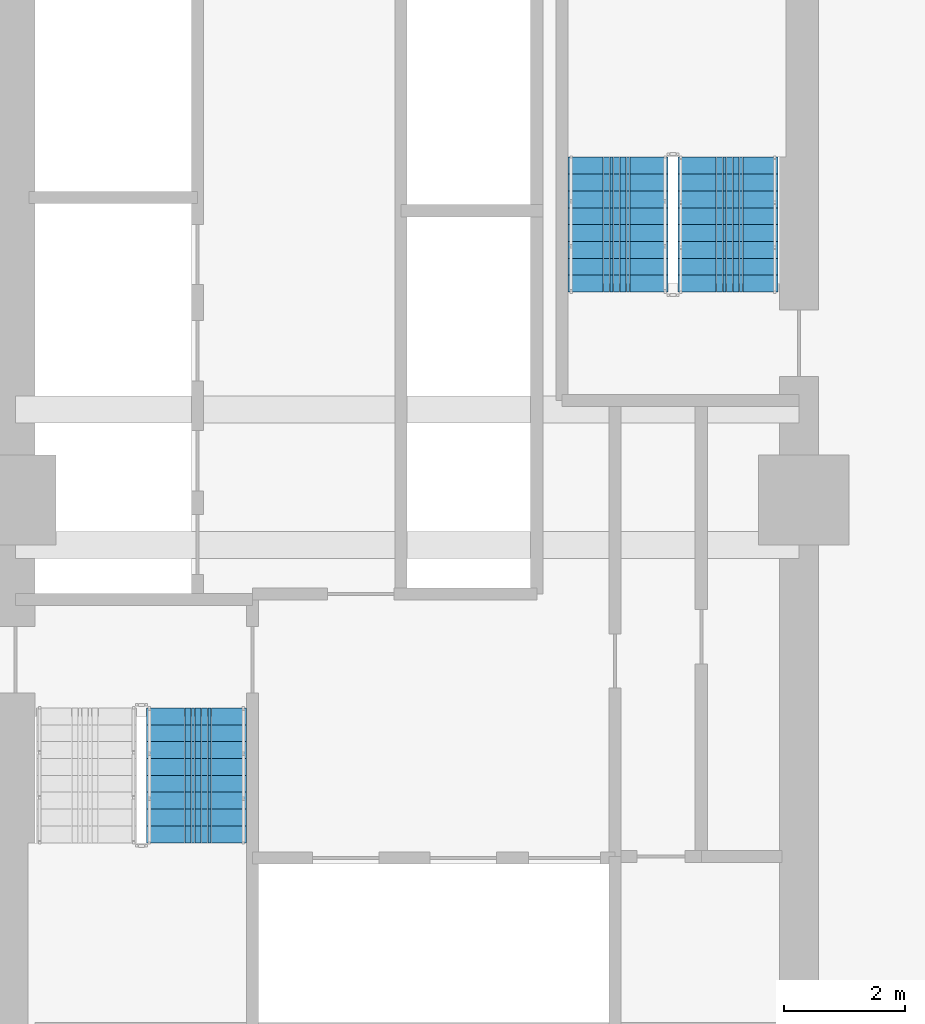
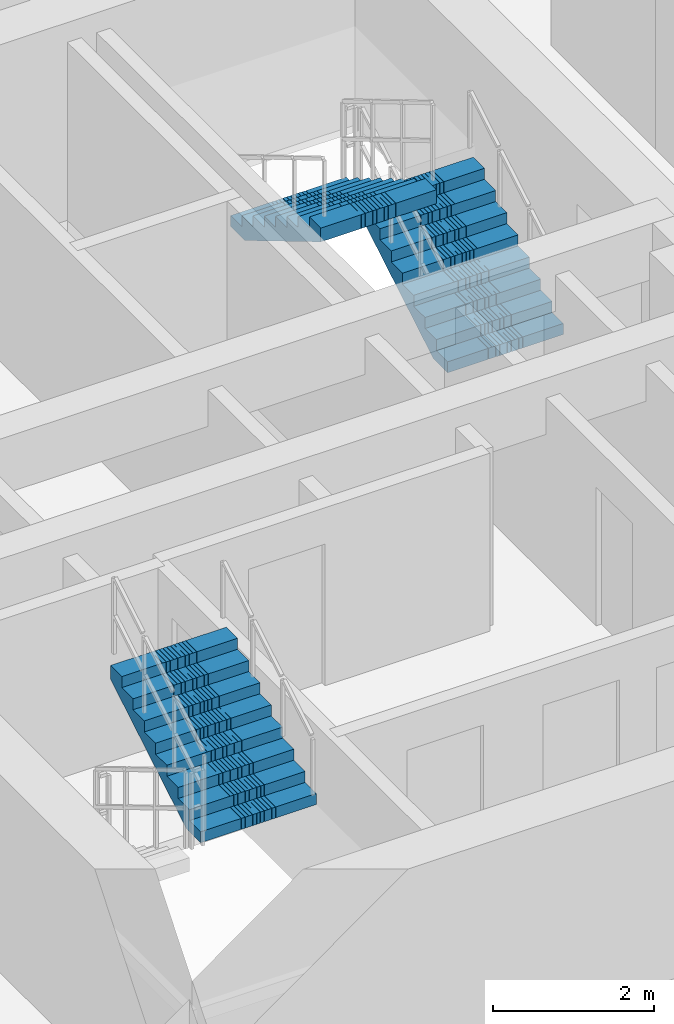
# One storey, part 9 of 15: 3 stair flights, 2 elements without a shape of their own.
"""IFC4 building model written with IfcOpenShell, lengths in metres."""

from ifc_helpers import new_model, si_unit, direction, frame, origin, place, context, subcontext, project, spatial, polyline, outline, extrude, material, type_object, element, aggregate, save


model = new_model("IFC4")

# Units and contexts
model_context = context("Model", 3, precision=1e-05, world=origin(), true_north=direction((0.0, 1.0)))
body_context = subcontext(model_context, "Body", "Model", "MODEL_VIEW")
ifc_project = project(units=[si_unit("LENGTHUNIT", "METRE"), si_unit("AREAUNIT", "SQUARE_METRE"), si_unit("VOLUMEUNIT", "CUBIC_METRE"), si_unit("PLANEANGLEUNIT", "RADIAN"), si_unit("MASSUNIT", "GRAM", prefix="KILO")], contexts=[model_context])

# Site, building, storey
site_placement = place(None, origin())
site = spatial("IfcSite", under=ifc_project, at=site_placement, CompositionType="ELEMENT")
building_placement = place(site_placement, origin())
building = spatial("IfcBuilding", under=site, at=building_placement, Name="Saelheon Loggia Tower", CompositionType="ELEMENT")
storey_placement = place(building_placement, frame((0.0, 0.0, 67.39990234375)))
storey = spatial("IfcBuildingStorey", under=building, at=storey_placement, Name="L21", CompositionType="ELEMENT", Elevation=67.39990234375)

# Stair, stair flight
ifc_material = material(Name="Concrete C40/50", Category="concrete")
stair_type = type_object("IfcStairType", Name="Stair_Escape_Core", PredefinedType="HALF_TURN_STAIR", material=ifc_material)
stair_1_placement = place(storey_placement, origin())
stair_1 = element("IfcStair", 1, at=stair_1_placement, inside=storey, type_object=stair_type, Name="L21 Special Escape Stair ST1", PredefinedType="HALF_TURN_STAIR")
stair_flight_type = type_object("IfcStairFlightType", Name="StairFlight_Tower_1660", PredefinedType="STRAIGHT", material=ifc_material)
stair_flight_1_placement = place(storey_placement, frame((34.5, 21.31005859375, 1.5), z_axis=(0.0, 0.0, 1.0), x_axis=(0.0, 1.0, 0.0)))
stair_flight_1 = element("IfcStairFlight", 2, at=stair_flight_1_placement, type_object=stair_flight_type, Name="ST1 flight 2", NumberOfRisers=9, NumberOfTreads=8, PredefinedType="STRAIGHT", RiserHeight=0.166666667, TreadLength=0.28, context=body_context, shape_type="SweptSolid", body=[
    extrude(outline(polyline([(0.0, 0.0), (0.0, 0.166748046875), (0.280029296875, 0.166748046875), (0.280029296875, 0.333251953125), (0.56005859375, 0.333251953125), (0.56005859375, 0.5), (0.840087890625, 0.5), (0.840087890625, 0.666748046875), (1.1201171875, 0.666748046875), (1.1201171875, 0.833251953125), (1.39990234375, 0.833251953125), (1.39990234375, 1.0), (1.679931640625, 1.0), (1.679931640625, 1.166748046875), (1.9599609375, 1.166748046875), (1.9599609375, 1.333251953125), (2.239990234375, 1.333251953125), (2.239990234375, 1.5), (2.239990234375, 1.1240234375), (0.351806640625, 0.0), (0.0, 0.0)])), frame((0.0, -0.2490234375, 0.0), z_axis=(0.0, -1.0, 0.0), x_axis=(1.0, 0.0, 0.0)), (0.0, 0.0, 1.0), 0.5810546875),
    extrude(outline(polyline([(0.0, 0.0), (0.0, 0.166748046875), (0.280029296875, 0.166748046875), (0.280029296875, 0.333251953125), (0.56005859375, 0.333251953125), (0.56005859375, 0.5), (0.840087890625, 0.5), (0.840087890625, 0.666748046875), (1.1201171875, 0.666748046875), (1.1201171875, 0.833251953125), (1.39990234375, 0.833251953125), (1.39990234375, 1.0), (1.679931640625, 1.0), (1.679931640625, 1.166748046875), (1.9599609375, 1.166748046875), (1.9599609375, 1.333251953125), (2.239990234375, 1.333251953125), (2.239990234375, 1.5), (2.239990234375, 1.1240234375), (0.351806640625, 0.0), (0.0, 0.0)])), frame((0.0, -0.194091796875, 0.0), z_axis=(0.0, -1.0, 0.0), x_axis=(1.0, 0.0, 0.0)), (0.0, 0.0, 1.0), 0.0498046875),
    extrude(outline(polyline([(0.0, 0.0), (0.0, 0.166748046875), (0.280029296875, 0.166748046875), (0.280029296875, 0.333251953125), (0.56005859375, 0.333251953125), (0.56005859375, 0.5), (0.840087890625, 0.5), (0.840087890625, 0.666748046875), (1.1201171875, 0.666748046875), (1.1201171875, 0.833251953125), (1.39990234375, 0.833251953125), (1.39990234375, 1.0), (1.679931640625, 1.0), (1.679931640625, 1.166748046875), (1.9599609375, 1.166748046875), (1.9599609375, 1.333251953125), (2.239990234375, 1.333251953125), (2.239990234375, 1.5), (2.239990234375, 1.1240234375), (0.351806640625, 0.0), (0.0, 0.0)])), frame((0.0, -0.139404296875, 0.0), z_axis=(0.0, -1.0, 0.0), x_axis=(1.0, 0.0, 0.0)), (0.0, 0.0, 1.0), 0.0498046875),
    extrude(outline(polyline([(0.0, 0.0), (0.0, 0.166748046875), (0.280029296875, 0.166748046875), (0.280029296875, 0.333251953125), (0.56005859375, 0.333251953125), (0.56005859375, 0.5), (0.840087890625, 0.5), (0.840087890625, 0.666748046875), (1.1201171875, 0.666748046875), (1.1201171875, 0.833251953125), (1.39990234375, 0.833251953125), (1.39990234375, 1.0), (1.679931640625, 1.0), (1.679931640625, 1.166748046875), (1.9599609375, 1.166748046875), (1.9599609375, 1.333251953125), (2.239990234375, 1.333251953125), (2.239990234375, 1.5), (2.239990234375, 1.1240234375), (0.351806640625, 0.0), (0.0, 0.0)])), frame((0.0, -0.084716796875, 0.0), z_axis=(0.0, -1.0, 0.0), x_axis=(1.0, 0.0, 0.0)), (0.0, 0.0, 1.0), 0.0498046875),
    extrude(outline(polyline([(0.0, 0.0), (0.0, 0.166748046875), (0.280029296875, 0.166748046875), (0.280029296875, 0.333251953125), (0.56005859375, 0.333251953125), (0.56005859375, 0.5), (0.840087890625, 0.5), (0.840087890625, 0.666748046875), (1.1201171875, 0.666748046875), (1.1201171875, 0.833251953125), (1.39990234375, 0.833251953125), (1.39990234375, 1.0), (1.679931640625, 1.0), (1.679931640625, 1.166748046875), (1.9599609375, 1.166748046875), (1.9599609375, 1.333251953125), (2.239990234375, 1.333251953125), (2.239990234375, 1.5), (2.239990234375, 1.1240234375), (0.351806640625, 0.0), (0.0, 0.0)])), frame((0.0, -0.02978515625, 0.0), z_axis=(0.0, -1.0, 0.0), x_axis=(1.0, 0.0, 0.0)), (0.0, 0.0, 1.0), 0.0498046875),
    extrude(outline(polyline([(0.0, 0.0), (0.0, 0.166748046875), (0.280029296875, 0.166748046875), (0.280029296875, 0.333251953125), (0.56005859375, 0.333251953125), (0.56005859375, 0.5), (0.840087890625, 0.5), (0.840087890625, 0.666748046875), (1.1201171875, 0.666748046875), (1.1201171875, 0.833251953125), (1.39990234375, 0.833251953125), (1.39990234375, 1.0), (1.679931640625, 1.0), (1.679931640625, 1.166748046875), (1.9599609375, 1.166748046875), (1.9599609375, 1.333251953125), (2.239990234375, 1.333251953125), (2.239990234375, 1.5), (2.239990234375, 1.1240234375), (0.351806640625, 0.0), (0.0, 0.0)])), frame((0.0, 0.02490234375, 0.0), z_axis=(0.0, -1.0, 0.0), x_axis=(1.0, 0.0, 0.0)), (0.0, 0.0, 1.0), 0.0498046875),
    extrude(outline(polyline([(0.0, 0.0), (0.0, 0.166748046875), (0.280029296875, 0.166748046875), (0.280029296875, 0.333251953125), (0.56005859375, 0.333251953125), (0.56005859375, 0.5), (0.840087890625, 0.5), (0.840087890625, 0.666748046875), (1.1201171875, 0.666748046875), (1.1201171875, 0.833251953125), (1.39990234375, 0.833251953125), (1.39990234375, 1.0), (1.679931640625, 1.0), (1.679931640625, 1.166748046875), (1.9599609375, 1.166748046875), (1.9599609375, 1.333251953125), (2.239990234375, 1.333251953125), (2.239990234375, 1.5), (2.239990234375, 1.1240234375), (0.351806640625, 0.0), (0.0, 0.0)])), frame((0.0, 0.07958984375, 0.0), z_axis=(0.0, -1.0, 0.0), x_axis=(1.0, 0.0, 0.0)), (0.0, 0.0, 1.0), 0.0498046875),
    extrude(outline(polyline([(0.0, 0.0), (0.0, 0.166748046875), (0.280029296875, 0.166748046875), (0.280029296875, 0.333251953125), (0.56005859375, 0.333251953125), (0.56005859375, 0.5), (0.840087890625, 0.5), (0.840087890625, 0.666748046875), (1.1201171875, 0.666748046875), (1.1201171875, 0.833251953125), (1.39990234375, 0.833251953125), (1.39990234375, 1.0), (1.679931640625, 1.0), (1.679931640625, 1.166748046875), (1.9599609375, 1.166748046875), (1.9599609375, 1.333251953125), (2.239990234375, 1.333251953125), (2.239990234375, 1.5), (2.239990234375, 1.1240234375), (0.351806640625, 0.0), (0.0, 0.0)])), frame((0.0, 0.134521484375, 0.0), z_axis=(0.0, -1.0, 0.0), x_axis=(1.0, 0.0, 0.0)), (0.0, 0.0, 1.0), 0.0498046875),
    extrude(outline(polyline([(0.0, 0.0), (0.0, 0.166748046875), (0.280029296875, 0.166748046875), (0.280029296875, 0.333251953125), (0.56005859375, 0.333251953125), (0.56005859375, 0.5), (0.840087890625, 0.5), (0.840087890625, 0.666748046875), (1.1201171875, 0.666748046875), (1.1201171875, 0.833251953125), (1.39990234375, 0.833251953125), (1.39990234375, 1.0), (1.679931640625, 1.0), (1.679931640625, 1.166748046875), (1.9599609375, 1.166748046875), (1.9599609375, 1.333251953125), (2.239990234375, 1.333251953125), (2.239990234375, 1.5), (2.239990234375, 1.1240234375), (0.351806640625, 0.0), (0.0, 0.0)])), frame((0.0, 0.189208984375, 0.0), z_axis=(0.0, -1.0, 0.0), x_axis=(1.0, 0.0, 0.0)), (0.0, 0.0, 1.0), 0.0498046875),
    extrude(outline(polyline([(0.0, 0.0), (0.0, 0.166748046875), (0.280029296875, 0.166748046875), (0.280029296875, 0.333251953125), (0.56005859375, 0.333251953125), (0.56005859375, 0.5), (0.840087890625, 0.5), (0.840087890625, 0.666748046875), (1.1201171875, 0.666748046875), (1.1201171875, 0.833251953125), (1.39990234375, 0.833251953125), (1.39990234375, 1.0), (1.679931640625, 1.0), (1.679931640625, 1.166748046875), (1.9599609375, 1.166748046875), (1.9599609375, 1.333251953125), (2.239990234375, 1.333251953125), (2.239990234375, 1.5), (2.239990234375, 1.1240234375), (0.351806640625, 0.0), (0.0, 0.0)])), frame((0.0, 0.243896484375, 0.0), z_axis=(0.0, -1.0, 0.0), x_axis=(1.0, 0.0, 0.0)), (0.0, 0.0, 1.0), 0.0498046875),
    extrude(outline(polyline([(0.0, 0.0), (0.0, 0.166748046875), (0.280029296875, 0.166748046875), (0.280029296875, 0.333251953125), (0.56005859375, 0.333251953125), (0.56005859375, 0.5), (0.840087890625, 0.5), (0.840087890625, 0.666748046875), (1.1201171875, 0.666748046875), (1.1201171875, 0.833251953125), (1.39990234375, 0.833251953125), (1.39990234375, 1.0), (1.679931640625, 1.0), (1.679931640625, 1.166748046875), (1.9599609375, 1.166748046875), (1.9599609375, 1.333251953125), (2.239990234375, 1.333251953125), (2.239990234375, 1.5), (2.239990234375, 1.1240234375), (0.351806640625, 0.0), (0.0, 0.0)])), frame((0.0, 0.830078125, 0.0), z_axis=(0.0, -1.0, 0.0), x_axis=(1.0, 0.0, 0.0)), (0.0, 0.0, 1.0), 0.5810546875),
])
aggregate(stair_1, [stair_flight_1])

# Stair, stair flights
stair_2_placement = place(storey_placement, origin())
stair_2 = element("IfcStair", 3, at=stair_2_placement, inside=storey, type_object=stair_type, Name="L21 Special Escape Stair ST2", PredefinedType="HALF_TURN_STAIR")
stair_flight_2_placement = place(storey_placement, frame((43.320068359375, 30.449951171875, 0.0), z_axis=(0.0, 0.0, 1.0), x_axis=(0.0, 1.0, 0.0)))
stair_flight_2 = element("IfcStairFlight", 4, at=stair_flight_2_placement, type_object=stair_flight_type, Name="ST2 flight 1", NumberOfRisers=9, NumberOfTreads=8, PredefinedType="STRAIGHT", RiserHeight=0.166666667, TreadLength=0.28, context=body_context, shape_type="SweptSolid", body=[
    extrude(outline(polyline([(0.0, 0.0), (0.0, 0.166748046875), (0.280029296875, 0.166748046875), (0.280029296875, 0.333251953125), (0.56005859375, 0.333251953125), (0.56005859375, 0.5), (0.840087890625, 0.5), (0.840087890625, 0.666748046875), (1.1201171875, 0.666748046875), (1.1201171875, 0.833251953125), (1.39990234375, 0.833251953125), (1.39990234375, 1.0), (1.679931640625, 1.0), (1.679931640625, 1.166748046875), (1.9599609375, 1.166748046875), (1.9599609375, 1.333251953125), (2.239990234375, 1.333251953125), (2.239990234375, 1.5), (2.239990234375, 1.1240234375), (0.351806640625, 0.0), (0.0, 0.0)])), frame((0.0, -0.2490234375, 0.0), z_axis=(0.0, -1.0, 0.0), x_axis=(1.0, 0.0, 0.0)), (0.0, 0.0, 1.0), 0.5810546875),
    extrude(outline(polyline([(0.0, 0.0), (0.0, 0.166748046875), (0.280029296875, 0.166748046875), (0.280029296875, 0.333251953125), (0.56005859375, 0.333251953125), (0.56005859375, 0.5), (0.840087890625, 0.5), (0.840087890625, 0.666748046875), (1.1201171875, 0.666748046875), (1.1201171875, 0.833251953125), (1.39990234375, 0.833251953125), (1.39990234375, 1.0), (1.679931640625, 1.0), (1.679931640625, 1.166748046875), (1.9599609375, 1.166748046875), (1.9599609375, 1.333251953125), (2.239990234375, 1.333251953125), (2.239990234375, 1.5), (2.239990234375, 1.1240234375), (0.351806640625, 0.0), (0.0, 0.0)])), frame((0.0, -0.194091796875, 0.0), z_axis=(0.0, -1.0, 0.0), x_axis=(1.0, 0.0, 0.0)), (0.0, 0.0, 1.0), 0.0498046875),
    extrude(outline(polyline([(0.0, 0.0), (0.0, 0.166748046875), (0.280029296875, 0.166748046875), (0.280029296875, 0.333251953125), (0.56005859375, 0.333251953125), (0.56005859375, 0.5), (0.840087890625, 0.5), (0.840087890625, 0.666748046875), (1.1201171875, 0.666748046875), (1.1201171875, 0.833251953125), (1.39990234375, 0.833251953125), (1.39990234375, 1.0), (1.679931640625, 1.0), (1.679931640625, 1.166748046875), (1.9599609375, 1.166748046875), (1.9599609375, 1.333251953125), (2.239990234375, 1.333251953125), (2.239990234375, 1.5), (2.239990234375, 1.1240234375), (0.351806640625, 0.0), (0.0, 0.0)])), frame((0.0, -0.139404296875, 0.0), z_axis=(0.0, -1.0, 0.0), x_axis=(1.0, 0.0, 0.0)), (0.0, 0.0, 1.0), 0.0498046875),
    extrude(outline(polyline([(0.0, 0.0), (0.0, 0.166748046875), (0.280029296875, 0.166748046875), (0.280029296875, 0.333251953125), (0.56005859375, 0.333251953125), (0.56005859375, 0.5), (0.840087890625, 0.5), (0.840087890625, 0.666748046875), (1.1201171875, 0.666748046875), (1.1201171875, 0.833251953125), (1.39990234375, 0.833251953125), (1.39990234375, 1.0), (1.679931640625, 1.0), (1.679931640625, 1.166748046875), (1.9599609375, 1.166748046875), (1.9599609375, 1.333251953125), (2.239990234375, 1.333251953125), (2.239990234375, 1.5), (2.239990234375, 1.1240234375), (0.351806640625, 0.0), (0.0, 0.0)])), frame((0.0, -0.084716796875, 0.0), z_axis=(0.0, -1.0, 0.0), x_axis=(1.0, 0.0, 0.0)), (0.0, 0.0, 1.0), 0.0498046875),
    extrude(outline(polyline([(0.0, 0.0), (0.0, 0.166748046875), (0.280029296875, 0.166748046875), (0.280029296875, 0.333251953125), (0.56005859375, 0.333251953125), (0.56005859375, 0.5), (0.840087890625, 0.5), (0.840087890625, 0.666748046875), (1.1201171875, 0.666748046875), (1.1201171875, 0.833251953125), (1.39990234375, 0.833251953125), (1.39990234375, 1.0), (1.679931640625, 1.0), (1.679931640625, 1.166748046875), (1.9599609375, 1.166748046875), (1.9599609375, 1.333251953125), (2.239990234375, 1.333251953125), (2.239990234375, 1.5), (2.239990234375, 1.1240234375), (0.351806640625, 0.0), (0.0, 0.0)])), frame((0.0, -0.02978515625, 0.0), z_axis=(0.0, -1.0, 0.0), x_axis=(1.0, 0.0, 0.0)), (0.0, 0.0, 1.0), 0.0498046875),
    extrude(outline(polyline([(0.0, 0.0), (0.0, 0.166748046875), (0.280029296875, 0.166748046875), (0.280029296875, 0.333251953125), (0.56005859375, 0.333251953125), (0.56005859375, 0.5), (0.840087890625, 0.5), (0.840087890625, 0.666748046875), (1.1201171875, 0.666748046875), (1.1201171875, 0.833251953125), (1.39990234375, 0.833251953125), (1.39990234375, 1.0), (1.679931640625, 1.0), (1.679931640625, 1.166748046875), (1.9599609375, 1.166748046875), (1.9599609375, 1.333251953125), (2.239990234375, 1.333251953125), (2.239990234375, 1.5), (2.239990234375, 1.1240234375), (0.351806640625, 0.0), (0.0, 0.0)])), frame((0.0, 0.02490234375, 0.0), z_axis=(0.0, -1.0, 0.0), x_axis=(1.0, 0.0, 0.0)), (0.0, 0.0, 1.0), 0.0498046875),
    extrude(outline(polyline([(0.0, 0.0), (0.0, 0.166748046875), (0.280029296875, 0.166748046875), (0.280029296875, 0.333251953125), (0.56005859375, 0.333251953125), (0.56005859375, 0.5), (0.840087890625, 0.5), (0.840087890625, 0.666748046875), (1.1201171875, 0.666748046875), (1.1201171875, 0.833251953125), (1.39990234375, 0.833251953125), (1.39990234375, 1.0), (1.679931640625, 1.0), (1.679931640625, 1.166748046875), (1.9599609375, 1.166748046875), (1.9599609375, 1.333251953125), (2.239990234375, 1.333251953125), (2.239990234375, 1.5), (2.239990234375, 1.1240234375), (0.351806640625, 0.0), (0.0, 0.0)])), frame((0.0, 0.07958984375, 0.0), z_axis=(0.0, -1.0, 0.0), x_axis=(1.0, 0.0, 0.0)), (0.0, 0.0, 1.0), 0.0498046875),
    extrude(outline(polyline([(0.0, 0.0), (0.0, 0.166748046875), (0.280029296875, 0.166748046875), (0.280029296875, 0.333251953125), (0.56005859375, 0.333251953125), (0.56005859375, 0.5), (0.840087890625, 0.5), (0.840087890625, 0.666748046875), (1.1201171875, 0.666748046875), (1.1201171875, 0.833251953125), (1.39990234375, 0.833251953125), (1.39990234375, 1.0), (1.679931640625, 1.0), (1.679931640625, 1.166748046875), (1.9599609375, 1.166748046875), (1.9599609375, 1.333251953125), (2.239990234375, 1.333251953125), (2.239990234375, 1.5), (2.239990234375, 1.1240234375), (0.351806640625, 0.0), (0.0, 0.0)])), frame((0.0, 0.134521484375, 0.0), z_axis=(0.0, -1.0, 0.0), x_axis=(1.0, 0.0, 0.0)), (0.0, 0.0, 1.0), 0.0498046875),
    extrude(outline(polyline([(0.0, 0.0), (0.0, 0.166748046875), (0.280029296875, 0.166748046875), (0.280029296875, 0.333251953125), (0.56005859375, 0.333251953125), (0.56005859375, 0.5), (0.840087890625, 0.5), (0.840087890625, 0.666748046875), (1.1201171875, 0.666748046875), (1.1201171875, 0.833251953125), (1.39990234375, 0.833251953125), (1.39990234375, 1.0), (1.679931640625, 1.0), (1.679931640625, 1.166748046875), (1.9599609375, 1.166748046875), (1.9599609375, 1.333251953125), (2.239990234375, 1.333251953125), (2.239990234375, 1.5), (2.239990234375, 1.1240234375), (0.351806640625, 0.0), (0.0, 0.0)])), frame((0.0, 0.189208984375, 0.0), z_axis=(0.0, -1.0, 0.0), x_axis=(1.0, 0.0, 0.0)), (0.0, 0.0, 1.0), 0.0498046875),
    extrude(outline(polyline([(0.0, 0.0), (0.0, 0.166748046875), (0.280029296875, 0.166748046875), (0.280029296875, 0.333251953125), (0.56005859375, 0.333251953125), (0.56005859375, 0.5), (0.840087890625, 0.5), (0.840087890625, 0.666748046875), (1.1201171875, 0.666748046875), (1.1201171875, 0.833251953125), (1.39990234375, 0.833251953125), (1.39990234375, 1.0), (1.679931640625, 1.0), (1.679931640625, 1.166748046875), (1.9599609375, 1.166748046875), (1.9599609375, 1.333251953125), (2.239990234375, 1.333251953125), (2.239990234375, 1.5), (2.239990234375, 1.1240234375), (0.351806640625, 0.0), (0.0, 0.0)])), frame((0.0, 0.243896484375, 0.0), z_axis=(0.0, -1.0, 0.0), x_axis=(1.0, 0.0, 0.0)), (0.0, 0.0, 1.0), 0.0498046875),
    extrude(outline(polyline([(0.0, 0.0), (0.0, 0.166748046875), (0.280029296875, 0.166748046875), (0.280029296875, 0.333251953125), (0.56005859375, 0.333251953125), (0.56005859375, 0.5), (0.840087890625, 0.5), (0.840087890625, 0.666748046875), (1.1201171875, 0.666748046875), (1.1201171875, 0.833251953125), (1.39990234375, 0.833251953125), (1.39990234375, 1.0), (1.679931640625, 1.0), (1.679931640625, 1.166748046875), (1.9599609375, 1.166748046875), (1.9599609375, 1.333251953125), (2.239990234375, 1.333251953125), (2.239990234375, 1.5), (2.239990234375, 1.1240234375), (0.351806640625, 0.0), (0.0, 0.0)])), frame((0.0, 0.830078125, 0.0), z_axis=(0.0, -1.0, 0.0), x_axis=(1.0, 0.0, 0.0)), (0.0, 0.0, 1.0), 0.5810546875),
])
stair_flight_3_placement = place(storey_placement, frame((41.5, 32.68994140625, 1.5), z_axis=(0.0, 0.0, 1.0), x_axis=(0.0, -1.0, 0.0)))
stair_flight_3 = element("IfcStairFlight", 5, at=stair_flight_3_placement, type_object=stair_flight_type, Name="ST2 flight 2", NumberOfRisers=9, NumberOfTreads=8, PredefinedType="STRAIGHT", RiserHeight=0.166666667, TreadLength=0.28, context=body_context, shape_type="SweptSolid", body=[
    extrude(outline(polyline([(0.0, 0.0), (0.0, 0.166748046875), (0.280029296875, 0.166748046875), (0.280029296875, 0.333251953125), (0.56005859375, 0.333251953125), (0.56005859375, 0.5), (0.840087890625, 0.5), (0.840087890625, 0.666748046875), (1.1201171875, 0.666748046875), (1.1201171875, 0.833251953125), (1.39990234375, 0.833251953125), (1.39990234375, 1.0), (1.679931640625, 1.0), (1.679931640625, 1.166748046875), (1.9599609375, 1.166748046875), (1.9599609375, 1.333251953125), (2.239990234375, 1.333251953125), (2.239990234375, 1.5), (2.239990234375, 1.1240234375), (0.351806640625, 0.0), (0.0, 0.0)])), frame((0.0, -0.2490234375, 0.0), z_axis=(0.0, -1.0, 0.0), x_axis=(1.0, 0.0, 0.0)), (0.0, 0.0, 1.0), 0.5810546875),
    extrude(outline(polyline([(0.0, 0.0), (0.0, 0.166748046875), (0.280029296875, 0.166748046875), (0.280029296875, 0.333251953125), (0.56005859375, 0.333251953125), (0.56005859375, 0.5), (0.840087890625, 0.5), (0.840087890625, 0.666748046875), (1.1201171875, 0.666748046875), (1.1201171875, 0.833251953125), (1.39990234375, 0.833251953125), (1.39990234375, 1.0), (1.679931640625, 1.0), (1.679931640625, 1.166748046875), (1.9599609375, 1.166748046875), (1.9599609375, 1.333251953125), (2.239990234375, 1.333251953125), (2.239990234375, 1.5), (2.239990234375, 1.1240234375), (0.351806640625, 0.0), (0.0, 0.0)])), frame((0.0, -0.194091796875, 0.0), z_axis=(0.0, -1.0, 0.0), x_axis=(1.0, 0.0, 0.0)), (0.0, 0.0, 1.0), 0.0498046875),
    extrude(outline(polyline([(0.0, 0.0), (0.0, 0.166748046875), (0.280029296875, 0.166748046875), (0.280029296875, 0.333251953125), (0.56005859375, 0.333251953125), (0.56005859375, 0.5), (0.840087890625, 0.5), (0.840087890625, 0.666748046875), (1.1201171875, 0.666748046875), (1.1201171875, 0.833251953125), (1.39990234375, 0.833251953125), (1.39990234375, 1.0), (1.679931640625, 1.0), (1.679931640625, 1.166748046875), (1.9599609375, 1.166748046875), (1.9599609375, 1.333251953125), (2.239990234375, 1.333251953125), (2.239990234375, 1.5), (2.239990234375, 1.1240234375), (0.351806640625, 0.0), (0.0, 0.0)])), frame((0.0, -0.139404296875, 0.0), z_axis=(0.0, -1.0, 0.0), x_axis=(1.0, 0.0, 0.0)), (0.0, 0.0, 1.0), 0.0498046875),
    extrude(outline(polyline([(0.0, 0.0), (0.0, 0.166748046875), (0.280029296875, 0.166748046875), (0.280029296875, 0.333251953125), (0.56005859375, 0.333251953125), (0.56005859375, 0.5), (0.840087890625, 0.5), (0.840087890625, 0.666748046875), (1.1201171875, 0.666748046875), (1.1201171875, 0.833251953125), (1.39990234375, 0.833251953125), (1.39990234375, 1.0), (1.679931640625, 1.0), (1.679931640625, 1.166748046875), (1.9599609375, 1.166748046875), (1.9599609375, 1.333251953125), (2.239990234375, 1.333251953125), (2.239990234375, 1.5), (2.239990234375, 1.1240234375), (0.351806640625, 0.0), (0.0, 0.0)])), frame((0.0, -0.084716796875, 0.0), z_axis=(0.0, -1.0, 0.0), x_axis=(1.0, 0.0, 0.0)), (0.0, 0.0, 1.0), 0.0498046875),
    extrude(outline(polyline([(0.0, 0.0), (0.0, 0.166748046875), (0.280029296875, 0.166748046875), (0.280029296875, 0.333251953125), (0.56005859375, 0.333251953125), (0.56005859375, 0.5), (0.840087890625, 0.5), (0.840087890625, 0.666748046875), (1.1201171875, 0.666748046875), (1.1201171875, 0.833251953125), (1.39990234375, 0.833251953125), (1.39990234375, 1.0), (1.679931640625, 1.0), (1.679931640625, 1.166748046875), (1.9599609375, 1.166748046875), (1.9599609375, 1.333251953125), (2.239990234375, 1.333251953125), (2.239990234375, 1.5), (2.239990234375, 1.1240234375), (0.351806640625, 0.0), (0.0, 0.0)])), frame((0.0, -0.02978515625, 0.0), z_axis=(0.0, -1.0, 0.0), x_axis=(1.0, 0.0, 0.0)), (0.0, 0.0, 1.0), 0.0498046875),
    extrude(outline(polyline([(0.0, 0.0), (0.0, 0.166748046875), (0.280029296875, 0.166748046875), (0.280029296875, 0.333251953125), (0.56005859375, 0.333251953125), (0.56005859375, 0.5), (0.840087890625, 0.5), (0.840087890625, 0.666748046875), (1.1201171875, 0.666748046875), (1.1201171875, 0.833251953125), (1.39990234375, 0.833251953125), (1.39990234375, 1.0), (1.679931640625, 1.0), (1.679931640625, 1.166748046875), (1.9599609375, 1.166748046875), (1.9599609375, 1.333251953125), (2.239990234375, 1.333251953125), (2.239990234375, 1.5), (2.239990234375, 1.1240234375), (0.351806640625, 0.0), (0.0, 0.0)])), frame((0.0, 0.02490234375, 0.0), z_axis=(0.0, -1.0, 0.0), x_axis=(1.0, 0.0, 0.0)), (0.0, 0.0, 1.0), 0.0498046875),
    extrude(outline(polyline([(0.0, 0.0), (0.0, 0.166748046875), (0.280029296875, 0.166748046875), (0.280029296875, 0.333251953125), (0.56005859375, 0.333251953125), (0.56005859375, 0.5), (0.840087890625, 0.5), (0.840087890625, 0.666748046875), (1.1201171875, 0.666748046875), (1.1201171875, 0.833251953125), (1.39990234375, 0.833251953125), (1.39990234375, 1.0), (1.679931640625, 1.0), (1.679931640625, 1.166748046875), (1.9599609375, 1.166748046875), (1.9599609375, 1.333251953125), (2.239990234375, 1.333251953125), (2.239990234375, 1.5), (2.239990234375, 1.1240234375), (0.351806640625, 0.0), (0.0, 0.0)])), frame((0.0, 0.07958984375, 0.0), z_axis=(0.0, -1.0, 0.0), x_axis=(1.0, 0.0, 0.0)), (0.0, 0.0, 1.0), 0.0498046875),
    extrude(outline(polyline([(0.0, 0.0), (0.0, 0.166748046875), (0.280029296875, 0.166748046875), (0.280029296875, 0.333251953125), (0.56005859375, 0.333251953125), (0.56005859375, 0.5), (0.840087890625, 0.5), (0.840087890625, 0.666748046875), (1.1201171875, 0.666748046875), (1.1201171875, 0.833251953125), (1.39990234375, 0.833251953125), (1.39990234375, 1.0), (1.679931640625, 1.0), (1.679931640625, 1.166748046875), (1.9599609375, 1.166748046875), (1.9599609375, 1.333251953125), (2.239990234375, 1.333251953125), (2.239990234375, 1.5), (2.239990234375, 1.1240234375), (0.351806640625, 0.0), (0.0, 0.0)])), frame((0.0, 0.134521484375, 0.0), z_axis=(0.0, -1.0, 0.0), x_axis=(1.0, 0.0, 0.0)), (0.0, 0.0, 1.0), 0.0498046875),
    extrude(outline(polyline([(0.0, 0.0), (0.0, 0.166748046875), (0.280029296875, 0.166748046875), (0.280029296875, 0.333251953125), (0.56005859375, 0.333251953125), (0.56005859375, 0.5), (0.840087890625, 0.5), (0.840087890625, 0.666748046875), (1.1201171875, 0.666748046875), (1.1201171875, 0.833251953125), (1.39990234375, 0.833251953125), (1.39990234375, 1.0), (1.679931640625, 1.0), (1.679931640625, 1.166748046875), (1.9599609375, 1.166748046875), (1.9599609375, 1.333251953125), (2.239990234375, 1.333251953125), (2.239990234375, 1.5), (2.239990234375, 1.1240234375), (0.351806640625, 0.0), (0.0, 0.0)])), frame((0.0, 0.189208984375, 0.0), z_axis=(0.0, -1.0, 0.0), x_axis=(1.0, 0.0, 0.0)), (0.0, 0.0, 1.0), 0.0498046875),
    extrude(outline(polyline([(0.0, 0.0), (0.0, 0.166748046875), (0.280029296875, 0.166748046875), (0.280029296875, 0.333251953125), (0.56005859375, 0.333251953125), (0.56005859375, 0.5), (0.840087890625, 0.5), (0.840087890625, 0.666748046875), (1.1201171875, 0.666748046875), (1.1201171875, 0.833251953125), (1.39990234375, 0.833251953125), (1.39990234375, 1.0), (1.679931640625, 1.0), (1.679931640625, 1.166748046875), (1.9599609375, 1.166748046875), (1.9599609375, 1.333251953125), (2.239990234375, 1.333251953125), (2.239990234375, 1.5), (2.239990234375, 1.1240234375), (0.351806640625, 0.0), (0.0, 0.0)])), frame((0.0, 0.243896484375, 0.0), z_axis=(0.0, -1.0, 0.0), x_axis=(1.0, 0.0, 0.0)), (0.0, 0.0, 1.0), 0.0498046875),
    extrude(outline(polyline([(0.0, 0.0), (0.0, 0.166748046875), (0.280029296875, 0.166748046875), (0.280029296875, 0.333251953125), (0.56005859375, 0.333251953125), (0.56005859375, 0.5), (0.840087890625, 0.5), (0.840087890625, 0.666748046875), (1.1201171875, 0.666748046875), (1.1201171875, 0.833251953125), (1.39990234375, 0.833251953125), (1.39990234375, 1.0), (1.679931640625, 1.0), (1.679931640625, 1.166748046875), (1.9599609375, 1.166748046875), (1.9599609375, 1.333251953125), (2.239990234375, 1.333251953125), (2.239990234375, 1.5), (2.239990234375, 1.1240234375), (0.351806640625, 0.0), (0.0, 0.0)])), frame((0.0, 0.830078125, 0.0), z_axis=(0.0, -1.0, 0.0), x_axis=(1.0, 0.0, 0.0)), (0.0, 0.0, 1.0), 0.5810546875),
])
aggregate(stair_2, [stair_flight_2, stair_flight_3])

save(model, "model.ifc")
